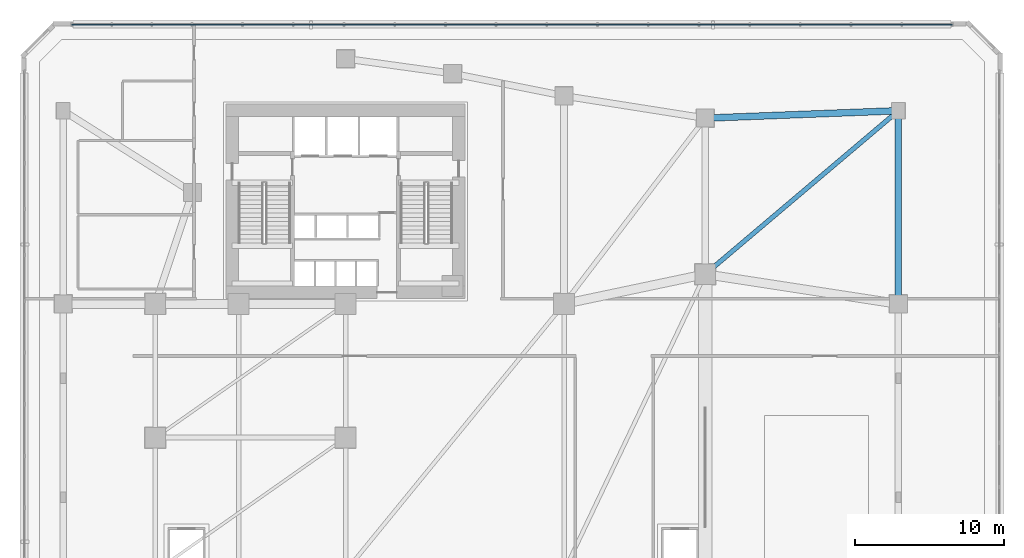
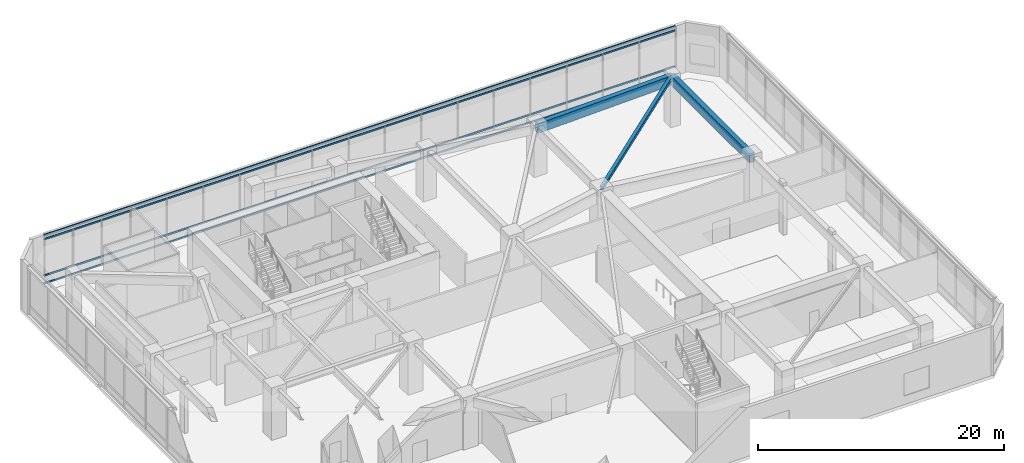
# One storey, part 6 of 18: 4 members, 3 beams, 1 element without a shape of its own.
"""IFC4 building model written with IfcOpenShell, lengths in metres."""

from ifc_helpers import new_model, si_unit, direction, frame, origin, origin_2d, place, context, subcontext, project, spatial, rectangle, i_section, extrude, source, transform, mapped, material, material_profile, profile_set, type_object, element, aggregate, save


model = new_model("IFC4")

# Units and contexts
model_context = context("Model", 3, precision=1e-05, world=origin(), true_north=direction((0.0, 1.0)))
body_context = subcontext(model_context, "Body", "Model", "MODEL_VIEW")
ifc_project = project(units=[si_unit("LENGTHUNIT", "METRE"), si_unit("AREAUNIT", "SQUARE_METRE"), si_unit("VOLUMEUNIT", "CUBIC_METRE"), si_unit("PLANEANGLEUNIT", "RADIAN"), si_unit("MASSUNIT", "GRAM", prefix="KILO")], contexts=[model_context])

# Site, building, storey
site_placement = place(None, origin())
site = spatial("IfcSite", under=ifc_project, at=site_placement, CompositionType="ELEMENT")
building_placement = place(site_placement, origin())
building = spatial("IfcBuilding", under=site, at=building_placement, Name="Calvemar Wedge Station Tower", CompositionType="ELEMENT")
storey_placement = place(building_placement, frame((0.0, 0.0, 11.199951171875)))
storey = spatial("IfcBuildingStorey", under=building, at=storey_placement, Name="L03", CompositionType="ELEMENT", Elevation=11.199951171875)

# Beams
ifc_material_1 = material(Name="Concrete C50", Category="concrete")
ifc_material_profile_1 = material_profile(ifc_material_1, rectangle(XDim=0.449951171875, YDim=0.949951171875, at=origin_2d()), Name="RC450x950")
ifc_profile_set_1 = profile_set([ifc_material_profile_1], Name="Concrete C50")
beam_type_1 = type_object("IfcBeamType", Name="BM-G2-950", PredefinedType="BEAM", material=ifc_profile_set_1)
shared_shape_1 = source(origin(), body_context, "Body", "SweptSolid", [
    extrude(rectangle(XDim=0.449951171875, YDim=0.949951171875, at=origin_2d()), origin(), (0.0, 0.0, 1.0), 13.0),
])
beam_1_placement = place(storey_placement, frame((61.0, 33.0, 4.425048828125), z_axis=(0.0, 1.0, 0.0), x_axis=(-1.0, 0.0, 0.0)))
element("IfcBeam", 1, at=beam_1_placement, inside=storey, type_object=beam_type_1, Name="Storey L03 Primary Girder G37", PredefinedType="BEAM", context=body_context, shape_type="MappedRepresentation", body=[
    mapped(shared_shape_1, transform((0.0, 0.0, 0.0), scale=1.0)),
])
shared_shape_2 = source(origin(), body_context, "Body", "SweptSolid", [
    extrude(rectangle(XDim=0.449951171875, YDim=0.949951171875, at=origin_2d()), origin(), (0.0, 0.0, 1.0), 13.009521484375),
])
beam_2_placement = place(storey_placement, frame((48.0, 45.5, 4.425048828125), z_axis=(0.999261174631, 0.038433122101, 0.0), x_axis=(-0.038433122101, 0.999261174631, 0.0)))
element("IfcBeam", 2, at=beam_2_placement, inside=storey, type_object=beam_type_1, Name="Storey L03 Primary Girder G42", PredefinedType="BEAM", context=body_context, shape_type="MappedRepresentation", body=[
    mapped(shared_shape_2, transform((0.0, 0.0, 0.0), scale=1.0)),
])
ifc_material_2 = material(Name="Structural steel ASTM A572 Grade 50", Category="steel")
ifc_material_profile_2 = material_profile(ifc_material_2, i_section(OverallWidth=0.30908203125, OverallDepth=0.322998046875, WebThickness=0.013916015625, FlangeThickness=0.02294921875, FilletRadius=0.014892578125, at=origin_2d()), Name="W310x143")
ifc_profile_set_2 = profile_set([ifc_material_profile_2], Name="Structural steel ASTM A572 Grade 50")
beam_type_2 = type_object("IfcBeamType", Name="BM-J5-W310H", PredefinedType="JOIST", material=ifc_profile_set_2)
shared_shape_3 = source(origin(), body_context, "Body", "SweptSolid", [
    extrude(i_section(OverallWidth=0.30908203125, OverallDepth=0.322998046875, WebThickness=0.013916015625, FlangeThickness=0.02294921875, FilletRadius=0.014892578125, at=origin_2d()), origin(), (0.0, 0.0, 1.0), 17.029296875),
])
beam_3_placement = place(storey_placement, frame((48.0, 35.0, 4.738525390625), z_axis=(0.763386285369, 0.645942241466, 0.0), x_axis=(-0.645942241466, 0.763386285369, 0.0)))
element("IfcBeam", 3, at=beam_3_placement, inside=storey, type_object=beam_type_2, Name="Storey L03 Concourse Cross Joist 12", PredefinedType="JOIST", context=body_context, shape_type="MappedRepresentation", body=[
    mapped(shared_shape_3, transform((0.0, 0.0, 0.0), scale=1.0)),
])

# Curtain wall, members
ifc_material_3 = material(Name="Anodised aluminium 6063-T6", Category="aluminium")
curtain_wall_type = type_object("IfcCurtainWallType", Name="CW5", PredefinedType="NOTDEFINED", material=ifc_material_3)
curtain_wall_placement = place(storey_placement, origin())
curtain_wall = element("IfcCurtainWall", 4, at=curtain_wall_placement, inside=storey, type_object=curtain_wall_type, Name="Storey L03 CW5 Recessed Unitised Curtain Wall 4", PredefinedType="NOTDEFINED")
ifc_material_profile_3 = material_profile(ifc_material_3, rectangle(XDim=0.0849609375, YDim=0.169921875, at=origin_2d()), Name="AL-TRN-85x170")
ifc_profile_set_3 = profile_set([ifc_material_profile_3], Name="Anodised aluminium 6063-T6")
member_type = type_object("IfcMemberType", Name="CW5-TRN", PredefinedType="USERDEFINED", material=ifc_profile_set_3)
shared_shape_4 = source(origin(), body_context, "Body", "SweptSolid", [
    extrude(rectangle(XDim=0.0849609375, YDim=0.169921875, at=origin_2d()), origin(), (0.0, 0.0, 1.0), 59.27587890625),
])
member_1_placement = place(storey_placement, frame((64.637939453125, 51.7900390625, 0.06005859375), z_axis=(-1.0, 0.0, 0.0), x_axis=(0.0, -1.0, 0.0)))
member_1 = element("IfcMember", 5, at=member_1_placement, type_object=member_type, Name="CW5 transom 1", ObjectType="TRANSOM", PredefinedType="USERDEFINED", context=body_context, shape_type="MappedRepresentation", body=[
    mapped(shared_shape_4, transform((0.0, 0.0, 0.0), scale=1.0)),
])
member_2_placement = place(storey_placement, frame((64.637939453125, 51.7900390625, 0.85009765625), z_axis=(-1.0, 0.0, 0.0), x_axis=(0.0, -1.0, 0.0)))
member_2 = element("IfcMember", 6, at=member_2_placement, type_object=member_type, Name="CW5 transom 2", ObjectType="TRANSOM", PredefinedType="USERDEFINED", context=body_context, shape_type="MappedRepresentation", body=[
    mapped(shared_shape_4, transform((0.0, 0.0, 0.0), scale=1.0)),
])
member_3_placement = place(storey_placement, frame((64.637939453125, 51.7900390625, 4.449951171875), z_axis=(-1.0, 0.0, 0.0), x_axis=(0.0, -1.0, 0.0)))
member_3 = element("IfcMember", 7, at=member_3_placement, type_object=member_type, Name="CW5 transom 3", ObjectType="TRANSOM", PredefinedType="USERDEFINED", context=body_context, shape_type="MappedRepresentation", body=[
    mapped(shared_shape_4, transform((0.0, 0.0, 0.0), scale=1.0)),
])
member_4_placement = place(storey_placement, frame((64.637939453125, 51.7900390625, 4.840087890625), z_axis=(-1.0, 0.0, 0.0), x_axis=(0.0, -1.0, 0.0)))
member_4 = element("IfcMember", 8, at=member_4_placement, type_object=member_type, Name="CW5 transom 4", ObjectType="TRANSOM", PredefinedType="USERDEFINED", context=body_context, shape_type="MappedRepresentation", body=[
    mapped(shared_shape_4, transform((0.0, 0.0, 0.0), scale=1.0)),
])
aggregate(curtain_wall, [member_1, member_2, member_3, member_4])

save(model, "model.ifc")
